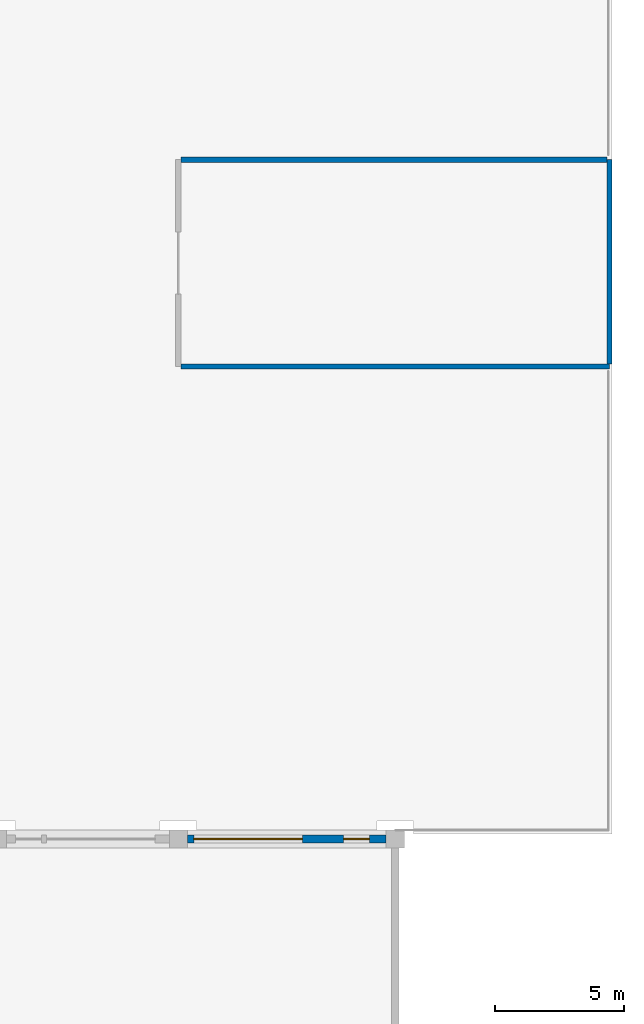
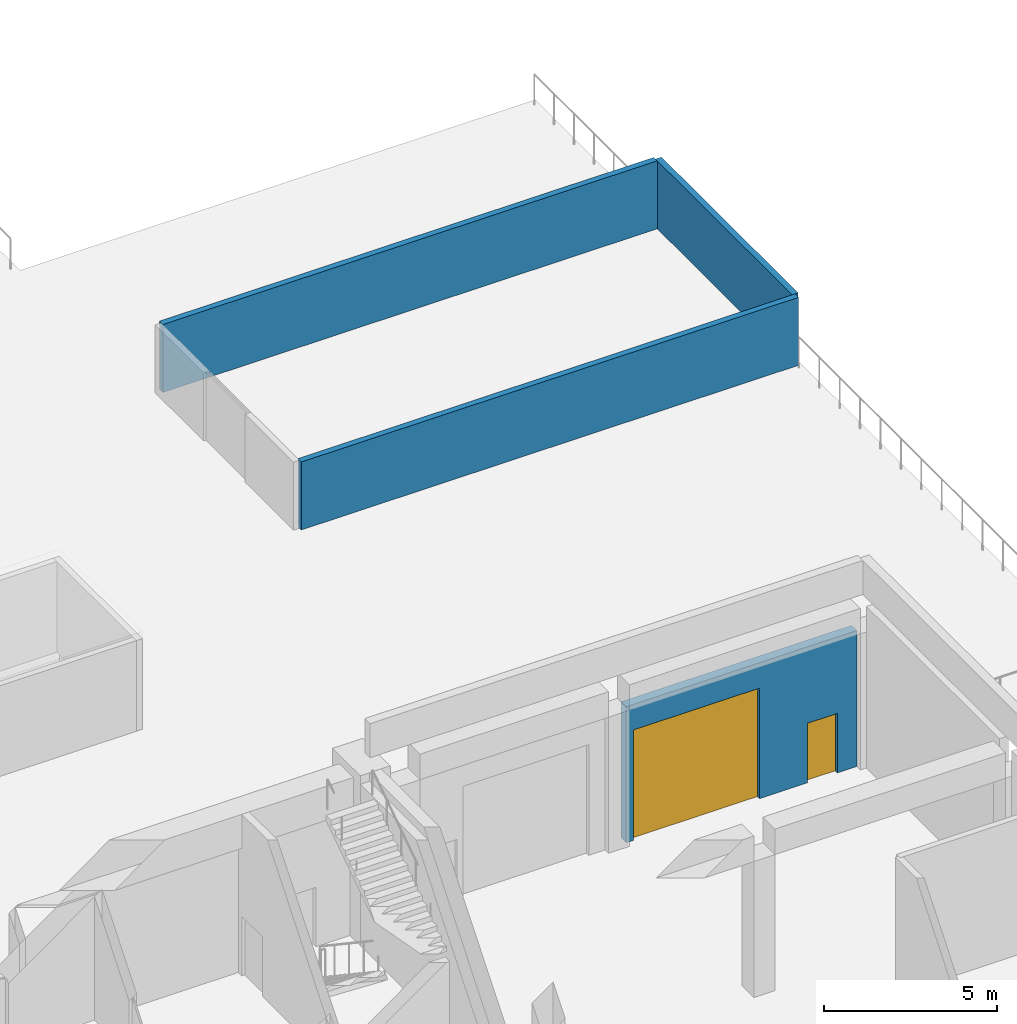
# One storey, part 126 of 210: 4 walls, 2 doors, 2 openings.
"""IFC4 building model written with IfcOpenShell, lengths in metres."""

from ifc_helpers import new_model, si_unit, direction, frame, frame_2d, origin, place, context, subcontext, project, spatial, rectangle, extrude, material, layer, layer_set, type_object, element, fill, save


model = new_model("IFC4")

# Units and contexts
model_context = context("Model", 3, precision=1e-05, world=origin(), true_north=direction((0.0, 1.0)))
body_context = subcontext(model_context, "Body", "Model", "MODEL_VIEW")
ifc_project = project(units=[si_unit("LENGTHUNIT", "METRE"), si_unit("AREAUNIT", "SQUARE_METRE"), si_unit("VOLUMEUNIT", "CUBIC_METRE"), si_unit("PLANEANGLEUNIT", "RADIAN"), si_unit("MASSUNIT", "GRAM", prefix="KILO")], contexts=[model_context])

# Site, building, storey
site_placement = place(None, origin())
site = spatial("IfcSite", under=ifc_project, at=site_placement, CompositionType="ELEMENT")
building_placement = place(site_placement, origin())
building = spatial("IfcBuilding", under=site, at=building_placement, Name="Rain Tree Exposition and Congress Centre", CompositionType="ELEMENT")
storey_placement = place(building_placement, origin())
storey = spatial("IfcBuildingStorey", under=building, at=storey_placement, Name="L00", CompositionType="ELEMENT", Elevation=0.0)

# Walls
ifc_material_1 = material(Name="Concrete C40/50", Category="concrete")
ifc_layer_1 = layer(ifc_material_1, 0.199951171875)
ifc_layer_set_1 = layer_set([ifc_layer_1], Name="Concrete C40/50")
wall_type_1 = type_object("IfcWallType", Name="Refuse screen wall 200", PredefinedType="SOLIDWALL", material=ifc_layer_set_1)
wall_1_placement = place(storey_placement, frame((252.10009765625, 219.89990234375, 0.0), z_axis=(0.0, 0.0, 1.0), x_axis=(1.0, 0.0, 0.0)))
element("IfcWall", 1, at=wall_1_placement, inside=storey, type_object=wall_type_1, Name="logistics/wall/L00/2", PredefinedType="SOLIDWALL", context=body_context, shape_type="SweptSolid", body=[
    extrude(rectangle(XDim=16.599853515625, YDim=0.199951171875, at=frame_2d((8.2998046875, 0.0))), origin(), (0.0, 0.0, 1.0), 2.39990234375),
])
wall_2_placement = place(storey_placement, frame((268.699951171875, 220.0, 0.0), z_axis=(0.0, 0.0, 1.0), x_axis=(0.0, 1.0, 0.0)))
element("IfcWall", 2, at=wall_2_placement, inside=storey, type_object=wall_type_1, Name="logistics/wall/L00/3", PredefinedType="SOLIDWALL", context=body_context, shape_type="SweptSolid", body=[
    extrude(rectangle(XDim=7.89990234375, YDim=0.199951171875, at=frame_2d((3.949951171875, 0.0))), origin(), (0.0, 0.0, 1.0), 2.39990234375),
])
wall_3_placement = place(storey_placement, frame((252.10009765625, 227.89990234375, 0.0), z_axis=(0.0, 0.0, 1.0), x_axis=(1.0, 0.0, 0.0)))
element("IfcWall", 3, at=wall_3_placement, inside=storey, type_object=wall_type_1, Name="logistics/wall/L00/4", PredefinedType="SOLIDWALL", context=body_context, shape_type="SweptSolid", body=[
    extrude(rectangle(XDim=16.5, YDim=0.199951171875, at=frame_2d((8.25, 0.0))), origin(), (0.0, 0.0, 1.0), 2.39990234375),
])

# Wall, openings, doors
ifc_material_2 = material(Name="Precast concrete C50/60", Category="concrete")
ifc_layer_2 = layer(ifc_material_2, 0.300048828125)
ifc_layer_set_2 = layer_set([ifc_layer_2], Name="Precast concrete C50/60")
wall_type_2 = type_object("IfcWallType", Name="Service block precast wall 300", PredefinedType="SOLIDWALL", material=ifc_layer_set_2)
wall_4_placement = place(storey_placement, frame((252.35009765625, 201.60009765625, 0.0), z_axis=(0.0, 0.0, 1.0), x_axis=(1.0, 0.0, 0.0)))
wall_4 = element("IfcWall", 4, at=wall_4_placement, inside=storey, type_object=wall_type_2, Name="Service block north wall 2", PredefinedType="SOLIDWALL", context=body_context, shape_type="SweptSolid", body=[
    extrude(rectangle(XDim=7.699951171875, YDim=0.300048828125, at=frame_2d((3.85009765625, 0.0))), origin(), (0.0, 0.0, 1.0), 4.800048828125),
])
opening_1_placement = place(wall_4_placement, frame((0.25, 0.0, 0.0)))
opening_1 = element("IfcOpeningElement", 5, at=opening_1_placement, cuts=wall_4, Name="Opening DH173", PredefinedType="OPENING", context=body_context, shape_type="SweptSolid", body=[
    extrude(rectangle(XDim=4.199951171875, YDim=3.89990234375, at=frame_2d((2.10009765625, 1.949951171875))), frame((0.0, 0.14990234375, 0.0), z_axis=(0.0, -1.0, 0.0), x_axis=(1.0, 0.0, 0.0)), (0.0, 0.0, 1.0), 0.300048828125),
])
opening_2_placement = place(wall_4_placement, frame((6.050048828125, 0.0, 0.0)))
opening_2 = element("IfcOpeningElement", 6, at=opening_2_placement, cuts=wall_4, Name="Opening DH174", PredefinedType="OPENING", context=body_context, shape_type="SweptSolid", body=[
    extrude(rectangle(XDim=1.0, YDim=2.10009765625, at=frame_2d((0.5, 1.050048828125))), frame((0.0, 0.14990234375, 0.0), z_axis=(0.0, -1.0, 0.0), x_axis=(1.0, 0.0, 0.0)), (0.0, 0.0, 1.0), 0.300048828125),
])
ifc_material_3 = material(Name="Galvanised steel sectional door", Category="steel")
door_type_1 = type_object("IfcDoorType", Name="Sectional overhead dock door 4200x3900", OperationType="ROLLINGUP", PredefinedType="DOOR", material=ifc_material_3)
door_1_placement = place(opening_1_placement, origin())
door_1 = element("IfcDoor", 7, at=door_1_placement, inside=storey, type_object=door_type_1, Name="Door DH173", OperationType="ROLLINGUP", OverallHeight=3.89990234375, OverallWidth=4.199951171875, PredefinedType="DOOR", context=body_context, shape_type="SweptSolid", body=[
    extrude(rectangle(XDim=4.199951171875, YDim=3.89990234375, at=frame_2d((2.10009765625, 1.949951171875))), frame((0.0, 0.02490234375, 0.0), z_axis=(0.0, -1.0, 0.0), x_axis=(1.0, 0.0, 0.0)), (0.0, 0.0, 1.0), 0.050048828125),
])
fill(opening_1, door_1)
ifc_material_4 = material(Name="Painted steel door", Category="steel")
door_type_2 = type_object("IfcDoorType", Name="Single leaf door 1000x2100", OperationType="NOTDEFINED", PredefinedType="DOOR", material=ifc_material_4)
door_2_placement = place(opening_2_placement, origin())
door_2 = element("IfcDoor", 8, at=door_2_placement, inside=storey, type_object=door_type_2, Name="Door DH174", OperationType="SINGLE_SWING_RIGHT", OverallHeight=2.10009765625, OverallWidth=1.0, PredefinedType="DOOR", context=body_context, shape_type="SweptSolid", body=[
    extrude(rectangle(XDim=1.0, YDim=2.10009765625, at=frame_2d((0.5, 1.050048828125))), frame((0.0, 0.02490234375, 0.0), z_axis=(0.0, -1.0, 0.0), x_axis=(1.0, 0.0, 0.0)), (0.0, 0.0, 1.0), 0.050048828125),
])
fill(opening_2, door_2)

save(model, "model.ifc")
